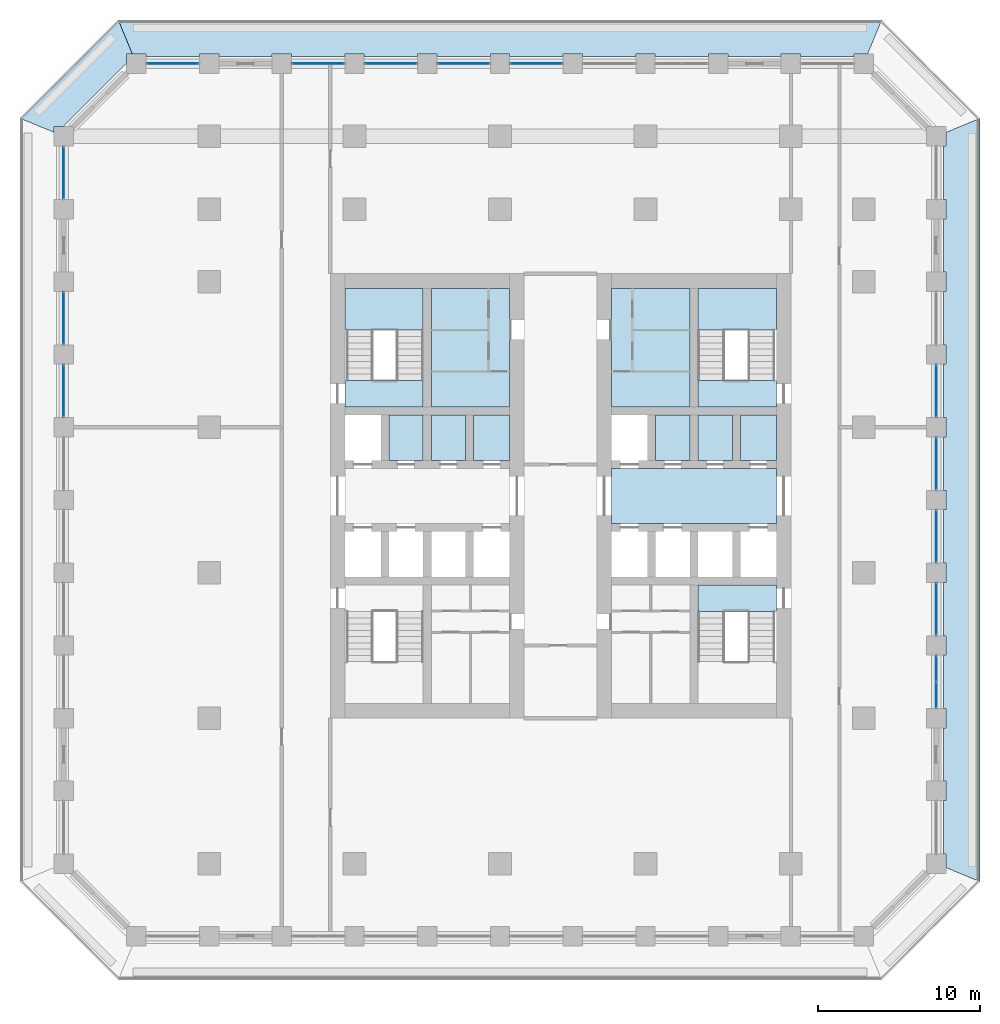
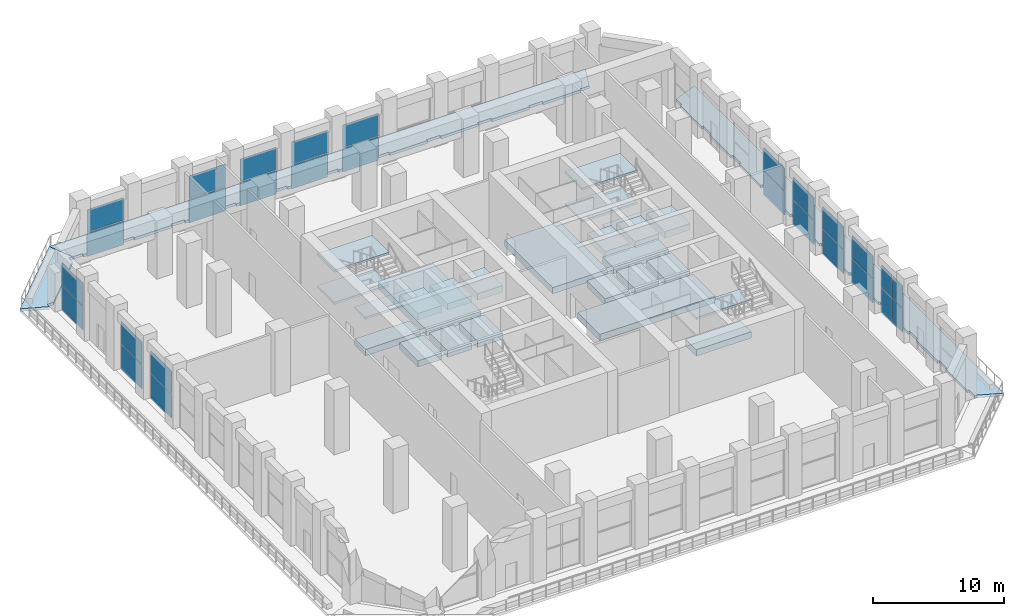
# One storey, part 11 of 24: 28 plates, 28 slabs, 16 elements without a shape of their own.
"""IFC4 building model written with IfcOpenShell, lengths in metres."""

from ifc_helpers import new_model, si_unit, direction, frame, origin, origin_2d, place, context, subcontext, project, spatial, polyline, rectangle, outline, extrude, material, layer, layer_set, type_object, element, aggregate, save


model = new_model("IFC4")

# Units and contexts
model_context = context("Model", 3, precision=1e-05, world=origin(), true_north=direction((0.0, 1.0)))
body_context = subcontext(model_context, "Body", "Model", "MODEL_VIEW")
ifc_project = project(units=[si_unit("LENGTHUNIT", "METRE"), si_unit("AREAUNIT", "SQUARE_METRE"), si_unit("VOLUMEUNIT", "CUBIC_METRE"), si_unit("PLANEANGLEUNIT", "RADIAN"), si_unit("MASSUNIT", "GRAM", prefix="KILO")], contexts=[model_context])

# Site, building, storey
site_placement = place(None, origin())
site = spatial("IfcSite", under=ifc_project, at=site_placement, CompositionType="ELEMENT")
building_placement = place(site_placement, origin())
building = spatial("IfcBuilding", under=site, at=building_placement, Name="Corbel Stack Research Tower", CompositionType="ELEMENT")
storey_placement = place(building_placement, frame((0.0, 0.0, 145.39990234375)))
storey = spatial("IfcBuildingStorey", under=building, at=storey_placement, Name="L33", CompositionType="ELEMENT", Elevation=145.39990234375)

# Curtain wall, plates
ifc_material_1 = material(Name="Aluminium frame, clear glass", Category="aluminium")
curtain_wall_type = type_object("IfcCurtainWallType", Name="Amenity floor curtain wall CW2", PredefinedType="NOTDEFINED", material=ifc_material_1)
curtain_wall_1_placement = place(storey_placement, origin())
curtain_wall_1 = element("IfcCurtainWall", 1, at=curtain_wall_1_placement, inside=storey, type_object=curtain_wall_type, Name="Curtain wall CW2 L33 E03", PredefinedType="NOTDEFINED")
ifc_material_2 = material(Name="Clear glass", Category="glass")
ifc_layer_1 = layer(ifc_material_2, 0.028076171875)
ifc_layer_set_1 = layer_set([ifc_layer_1], Name="Clear glass")
plate_type = type_object("IfcPlateType", Name="Clear glazing 28", PredefinedType="CURTAIN_PANEL", material=ifc_layer_set_1)
plate_1_placement = place(storey_placement, frame((27.0, -7.56005859375, 0.06005859375), z_axis=(0.0, 0.0, 1.0), x_axis=(0.0, 1.0, 0.0)))
plate_1 = element("IfcPlate", 2, at=plate_1_placement, type_object=plate_type, Name="CW2 L33 E03 panel 1.1", PredefinedType="CURTAIN_PANEL", context=body_context, shape_type="SweptSolid", body=[
    extrude(rectangle(XDim=1.56005859375, YDim=0.028076171875, at=origin_2d()), origin(), (0.0, 0.0, 1.0), 2.2099609375),
])
plate_2_placement = place(storey_placement, frame((27.0, -7.56005859375, 2.330078125), z_axis=(0.0, 0.0, 1.0), x_axis=(0.0, 1.0, 0.0)))
plate_2 = element("IfcPlate", 3, at=plate_2_placement, type_object=plate_type, Name="CW2 L33 E03 panel 1.2", PredefinedType="CURTAIN_PANEL", context=body_context, shape_type="SweptSolid", body=[
    extrude(rectangle(XDim=1.56005859375, YDim=0.028076171875, at=origin_2d()), origin(), (0.0, 0.0, 1.0), 2.110107421875),
])
plate_3_placement = place(storey_placement, frame((27.0, -5.93994140625, 0.06005859375), z_axis=(0.0, 0.0, 1.0), x_axis=(0.0, 1.0, 0.0)))
plate_3 = element("IfcPlate", 4, at=plate_3_placement, type_object=plate_type, Name="CW2 L33 E03 panel 2.1", PredefinedType="CURTAIN_PANEL", context=body_context, shape_type="SweptSolid", body=[
    extrude(rectangle(XDim=1.56005859375, YDim=0.028076171875, at=origin_2d()), origin(), (0.0, 0.0, 1.0), 2.2099609375),
])
plate_4_placement = place(storey_placement, frame((27.0, -5.93994140625, 2.330078125), z_axis=(0.0, 0.0, 1.0), x_axis=(0.0, 1.0, 0.0)))
plate_4 = element("IfcPlate", 5, at=plate_4_placement, type_object=plate_type, Name="CW2 L33 E03 panel 2.2", PredefinedType="CURTAIN_PANEL", context=body_context, shape_type="SweptSolid", body=[
    extrude(rectangle(XDim=1.56005859375, YDim=0.028076171875, at=origin_2d()), origin(), (0.0, 0.0, 1.0), 2.110107421875),
])
aggregate(curtain_wall_1, [plate_1, plate_2, plate_3, plate_4])

curtain_wall_2_placement = place(storey_placement, origin())
curtain_wall_2 = element("IfcCurtainWall", 6, at=curtain_wall_2_placement, inside=storey, type_object=curtain_wall_type, Name="Curtain wall CW2 L33 E04", PredefinedType="NOTDEFINED")
plate_5_placement = place(storey_placement, frame((27.0, -2.25, 0.06005859375), z_axis=(0.0, 0.0, 1.0), x_axis=(0.0, 1.0, 0.0)))
plate_5 = element("IfcPlate", 7, at=plate_5_placement, type_object=plate_type, Name="CW2 L33 E04 panel 1.1", PredefinedType="CURTAIN_PANEL", context=body_context, shape_type="SweptSolid", body=[
    extrude(rectangle(XDim=3.179931640625, YDim=0.028076171875, at=origin_2d()), origin(), (0.0, 0.0, 1.0), 2.2099609375),
])
plate_6_placement = place(storey_placement, frame((27.0, -2.25, 2.330078125), z_axis=(0.0, 0.0, 1.0), x_axis=(0.0, 1.0, 0.0)))
plate_6 = element("IfcPlate", 8, at=plate_6_placement, type_object=plate_type, Name="CW2 L33 E04 panel 1.2", PredefinedType="CURTAIN_PANEL", context=body_context, shape_type="SweptSolid", body=[
    extrude(rectangle(XDim=3.179931640625, YDim=0.028076171875, at=origin_2d()), origin(), (0.0, 0.0, 1.0), 2.110107421875),
])
aggregate(curtain_wall_2, [plate_5, plate_6])

curtain_wall_3_placement = place(storey_placement, origin())
curtain_wall_3 = element("IfcCurtainWall", 9, at=curtain_wall_3_placement, inside=storey, type_object=curtain_wall_type, Name="Curtain wall CW2 L33 E05", PredefinedType="NOTDEFINED")
plate_7_placement = place(storey_placement, frame((27.0, 2.25, 0.06005859375), z_axis=(0.0, 0.0, 1.0), x_axis=(0.0, 1.0, 0.0)))
plate_7 = element("IfcPlate", 10, at=plate_7_placement, type_object=plate_type, Name="CW2 L33 E05 panel 1.1", PredefinedType="CURTAIN_PANEL", context=body_context, shape_type="SweptSolid", body=[
    extrude(rectangle(XDim=3.179931640625, YDim=0.028076171875, at=origin_2d()), origin(), (0.0, 0.0, 1.0), 2.2099609375),
])
plate_8_placement = place(storey_placement, frame((27.0, 2.25, 2.330078125), z_axis=(0.0, 0.0, 1.0), x_axis=(0.0, 1.0, 0.0)))
plate_8 = element("IfcPlate", 11, at=plate_8_placement, type_object=plate_type, Name="CW2 L33 E05 panel 1.2", PredefinedType="CURTAIN_PANEL", context=body_context, shape_type="SweptSolid", body=[
    extrude(rectangle(XDim=3.179931640625, YDim=0.028076171875, at=origin_2d()), origin(), (0.0, 0.0, 1.0), 2.110107421875),
])
aggregate(curtain_wall_3, [plate_7, plate_8])

curtain_wall_4_placement = place(storey_placement, origin())
curtain_wall_4 = element("IfcCurtainWall", 12, at=curtain_wall_4_placement, inside=storey, type_object=curtain_wall_type, Name="Curtain wall CW2 L33 E06", PredefinedType="NOTDEFINED")
plate_9_placement = place(storey_placement, frame((27.0, 6.75, 0.06005859375), z_axis=(0.0, 0.0, 1.0), x_axis=(0.0, 1.0, 0.0)))
plate_9 = element("IfcPlate", 13, at=plate_9_placement, type_object=plate_type, Name="CW2 L33 E06 panel 1.1", PredefinedType="CURTAIN_PANEL", context=body_context, shape_type="SweptSolid", body=[
    extrude(rectangle(XDim=3.179931640625, YDim=0.028076171875, at=origin_2d()), origin(), (0.0, 0.0, 1.0), 2.2099609375),
])
plate_10_placement = place(storey_placement, frame((27.0, 6.75, 2.330078125), z_axis=(0.0, 0.0, 1.0), x_axis=(0.0, 1.0, 0.0)))
plate_10 = element("IfcPlate", 14, at=plate_10_placement, type_object=plate_type, Name="CW2 L33 E06 panel 1.2", PredefinedType="CURTAIN_PANEL", context=body_context, shape_type="SweptSolid", body=[
    extrude(rectangle(XDim=3.179931640625, YDim=0.028076171875, at=origin_2d()), origin(), (0.0, 0.0, 1.0), 2.110107421875),
])
aggregate(curtain_wall_4, [plate_9, plate_10])

curtain_wall_5_placement = place(storey_placement, origin())
curtain_wall_5 = element("IfcCurtainWall", 15, at=curtain_wall_5_placement, inside=storey, type_object=curtain_wall_type, Name="Curtain wall CW2 L33 E07", PredefinedType="NOTDEFINED")
plate_11_placement = place(storey_placement, frame((27.0, 11.25, 0.06005859375), z_axis=(0.0, 0.0, 1.0), x_axis=(0.0, 1.0, 0.0)))
plate_11 = element("IfcPlate", 16, at=plate_11_placement, type_object=plate_type, Name="CW2 L33 E07 panel 1.1", PredefinedType="CURTAIN_PANEL", context=body_context, shape_type="SweptSolid", body=[
    extrude(rectangle(XDim=3.179931640625, YDim=0.028076171875, at=origin_2d()), origin(), (0.0, 0.0, 1.0), 2.2099609375),
])
plate_12_placement = place(storey_placement, frame((27.0, 11.25, 2.330078125), z_axis=(0.0, 0.0, 1.0), x_axis=(0.0, 1.0, 0.0)))
plate_12 = element("IfcPlate", 17, at=plate_12_placement, type_object=plate_type, Name="CW2 L33 E07 panel 1.2", PredefinedType="CURTAIN_PANEL", context=body_context, shape_type="SweptSolid", body=[
    extrude(rectangle(XDim=3.179931640625, YDim=0.028076171875, at=origin_2d()), origin(), (0.0, 0.0, 1.0), 2.110107421875),
])
aggregate(curtain_wall_5, [plate_11, plate_12])

curtain_wall_6_placement = place(storey_placement, origin())
curtain_wall_6 = element("IfcCurtainWall", 18, at=curtain_wall_6_placement, inside=storey, type_object=curtain_wall_type, Name="Curtain wall CW2 L33 N05", PredefinedType="NOTDEFINED")
plate_13_placement = place(storey_placement, frame((2.25, 31.5, 0.06005859375), z_axis=(0.0, 0.0, 1.0), x_axis=(-1.0, 0.0, 0.0)))
plate_13 = element("IfcPlate", 19, at=plate_13_placement, type_object=plate_type, Name="CW2 L33 N05 panel 1.1", PredefinedType="CURTAIN_PANEL", context=body_context, shape_type="SweptSolid", body=[
    extrude(rectangle(XDim=3.179931640625, YDim=0.028076171875, at=origin_2d()), origin(), (0.0, 0.0, 1.0), 2.2099609375),
])
plate_14_placement = place(storey_placement, frame((2.25, 31.5, 2.330078125), z_axis=(0.0, 0.0, 1.0), x_axis=(-1.0, 0.0, 0.0)))
plate_14 = element("IfcPlate", 20, at=plate_14_placement, type_object=plate_type, Name="CW2 L33 N05 panel 1.2", PredefinedType="CURTAIN_PANEL", context=body_context, shape_type="SweptSolid", body=[
    extrude(rectangle(XDim=3.179931640625, YDim=0.028076171875, at=origin_2d()), origin(), (0.0, 0.0, 1.0), 2.110107421875),
])
aggregate(curtain_wall_6, [plate_13, plate_14])

curtain_wall_7_placement = place(storey_placement, origin())
curtain_wall_7 = element("IfcCurtainWall", 21, at=curtain_wall_7_placement, inside=storey, type_object=curtain_wall_type, Name="Curtain wall CW2 L33 N06", PredefinedType="NOTDEFINED")
plate_15_placement = place(storey_placement, frame((-2.25, 31.5, 0.06005859375), z_axis=(0.0, 0.0, 1.0), x_axis=(-1.0, 0.0, 0.0)))
plate_15 = element("IfcPlate", 22, at=plate_15_placement, type_object=plate_type, Name="CW2 L33 N06 panel 1.1", PredefinedType="CURTAIN_PANEL", context=body_context, shape_type="SweptSolid", body=[
    extrude(rectangle(XDim=3.179931640625, YDim=0.028076171875, at=origin_2d()), origin(), (0.0, 0.0, 1.0), 2.2099609375),
])
plate_16_placement = place(storey_placement, frame((-2.25, 31.5, 2.330078125), z_axis=(0.0, 0.0, 1.0), x_axis=(-1.0, 0.0, 0.0)))
plate_16 = element("IfcPlate", 23, at=plate_16_placement, type_object=plate_type, Name="CW2 L33 N06 panel 1.2", PredefinedType="CURTAIN_PANEL", context=body_context, shape_type="SweptSolid", body=[
    extrude(rectangle(XDim=3.179931640625, YDim=0.028076171875, at=origin_2d()), origin(), (0.0, 0.0, 1.0), 2.110107421875),
])
aggregate(curtain_wall_7, [plate_15, plate_16])

curtain_wall_8_placement = place(storey_placement, origin())
curtain_wall_8 = element("IfcCurtainWall", 24, at=curtain_wall_8_placement, inside=storey, type_object=curtain_wall_type, Name="Curtain wall CW2 L33 N07", PredefinedType="NOTDEFINED")
plate_17_placement = place(storey_placement, frame((-6.75, 31.5, 0.06005859375), z_axis=(0.0, 0.0, 1.0), x_axis=(-1.0, 0.0, 0.0)))
plate_17 = element("IfcPlate", 25, at=plate_17_placement, type_object=plate_type, Name="CW2 L33 N07 panel 1.1", PredefinedType="CURTAIN_PANEL", context=body_context, shape_type="SweptSolid", body=[
    extrude(rectangle(XDim=3.179931640625, YDim=0.028076171875, at=origin_2d()), origin(), (0.0, 0.0, 1.0), 2.2099609375),
])
plate_18_placement = place(storey_placement, frame((-6.75, 31.5, 2.330078125), z_axis=(0.0, 0.0, 1.0), x_axis=(-1.0, 0.0, 0.0)))
plate_18 = element("IfcPlate", 26, at=plate_18_placement, type_object=plate_type, Name="CW2 L33 N07 panel 1.2", PredefinedType="CURTAIN_PANEL", context=body_context, shape_type="SweptSolid", body=[
    extrude(rectangle(XDim=3.179931640625, YDim=0.028076171875, at=origin_2d()), origin(), (0.0, 0.0, 1.0), 2.110107421875),
])
aggregate(curtain_wall_8, [plate_17, plate_18])

curtain_wall_9_placement = place(storey_placement, origin())
curtain_wall_9 = element("IfcCurtainWall", 27, at=curtain_wall_9_placement, inside=storey, type_object=curtain_wall_type, Name="Curtain wall CW2 L33 N08", PredefinedType="NOTDEFINED")
plate_19_placement = place(storey_placement, frame((-11.25, 31.5, 0.06005859375), z_axis=(0.0, 0.0, 1.0), x_axis=(-1.0, 0.0, 0.0)))
plate_19 = element("IfcPlate", 28, at=plate_19_placement, type_object=plate_type, Name="CW2 L33 N08 panel 1.1", PredefinedType="CURTAIN_PANEL", context=body_context, shape_type="SweptSolid", body=[
    extrude(rectangle(XDim=3.179931640625, YDim=0.028076171875, at=origin_2d()), origin(), (0.0, 0.0, 1.0), 2.2099609375),
])
plate_20_placement = place(storey_placement, frame((-11.25, 31.5, 2.330078125), z_axis=(0.0, 0.0, 1.0), x_axis=(-1.0, 0.0, 0.0)))
plate_20 = element("IfcPlate", 29, at=plate_20_placement, type_object=plate_type, Name="CW2 L33 N08 panel 1.2", PredefinedType="CURTAIN_PANEL", context=body_context, shape_type="SweptSolid", body=[
    extrude(rectangle(XDim=3.179931640625, YDim=0.028076171875, at=origin_2d()), origin(), (0.0, 0.0, 1.0), 2.110107421875),
])
aggregate(curtain_wall_9, [plate_19, plate_20])

curtain_wall_10_placement = place(storey_placement, origin())
curtain_wall_10 = element("IfcCurtainWall", 30, at=curtain_wall_10_placement, inside=storey, type_object=curtain_wall_type, Name="Curtain wall CW2 L33 N10", PredefinedType="NOTDEFINED")
plate_21_placement = place(storey_placement, frame((-20.25, 31.5, 0.06005859375), z_axis=(0.0, 0.0, 1.0), x_axis=(-1.0, 0.0, 0.0)))
plate_21 = element("IfcPlate", 31, at=plate_21_placement, type_object=plate_type, Name="CW2 L33 N10 panel 1.1", PredefinedType="CURTAIN_PANEL", context=body_context, shape_type="SweptSolid", body=[
    extrude(rectangle(XDim=3.179931640625, YDim=0.028076171875, at=origin_2d()), origin(), (0.0, 0.0, 1.0), 2.2099609375),
])
plate_22_placement = place(storey_placement, frame((-20.25, 31.5, 2.330078125), z_axis=(0.0, 0.0, 1.0), x_axis=(-1.0, 0.0, 0.0)))
plate_22 = element("IfcPlate", 32, at=plate_22_placement, type_object=plate_type, Name="CW2 L33 N10 panel 1.2", PredefinedType="CURTAIN_PANEL", context=body_context, shape_type="SweptSolid", body=[
    extrude(rectangle(XDim=3.179931640625, YDim=0.028076171875, at=origin_2d()), origin(), (0.0, 0.0, 1.0), 2.110107421875),
])
aggregate(curtain_wall_10, [plate_21, plate_22])

curtain_wall_11_placement = place(storey_placement, origin())
curtain_wall_11 = element("IfcCurtainWall", 33, at=curtain_wall_11_placement, inside=storey, type_object=curtain_wall_type, Name="Curtain wall CW2 L33 W01", PredefinedType="NOTDEFINED")
plate_23_placement = place(storey_placement, frame((-27.0, 24.75, 0.06005859375), z_axis=(0.0, 0.0, 1.0), x_axis=(0.0, -1.0, 0.0)))
plate_23 = element("IfcPlate", 34, at=plate_23_placement, type_object=plate_type, Name="CW2 L33 W01 panel 1.1", PredefinedType="CURTAIN_PANEL", context=body_context, shape_type="SweptSolid", body=[
    extrude(rectangle(XDim=3.179931640625, YDim=0.028076171875, at=origin_2d()), origin(), (0.0, 0.0, 1.0), 2.2099609375),
])
plate_24_placement = place(storey_placement, frame((-27.0, 24.75, 2.330078125), z_axis=(0.0, 0.0, 1.0), x_axis=(0.0, -1.0, 0.0)))
plate_24 = element("IfcPlate", 35, at=plate_24_placement, type_object=plate_type, Name="CW2 L33 W01 panel 1.2", PredefinedType="CURTAIN_PANEL", context=body_context, shape_type="SweptSolid", body=[
    extrude(rectangle(XDim=3.179931640625, YDim=0.028076171875, at=origin_2d()), origin(), (0.0, 0.0, 1.0), 2.110107421875),
])
aggregate(curtain_wall_11, [plate_23, plate_24])

curtain_wall_12_placement = place(storey_placement, origin())
curtain_wall_12 = element("IfcCurtainWall", 36, at=curtain_wall_12_placement, inside=storey, type_object=curtain_wall_type, Name="Curtain wall CW2 L33 W03", PredefinedType="NOTDEFINED")
plate_25_placement = place(storey_placement, frame((-27.0, 15.75, 0.06005859375), z_axis=(0.0, 0.0, 1.0), x_axis=(0.0, -1.0, 0.0)))
plate_25 = element("IfcPlate", 37, at=plate_25_placement, type_object=plate_type, Name="CW2 L33 W03 panel 1.1", PredefinedType="CURTAIN_PANEL", context=body_context, shape_type="SweptSolid", body=[
    extrude(rectangle(XDim=3.179931640625, YDim=0.028076171875, at=origin_2d()), origin(), (0.0, 0.0, 1.0), 2.2099609375),
])
plate_26_placement = place(storey_placement, frame((-27.0, 15.75, 2.330078125), z_axis=(0.0, 0.0, 1.0), x_axis=(0.0, -1.0, 0.0)))
plate_26 = element("IfcPlate", 38, at=plate_26_placement, type_object=plate_type, Name="CW2 L33 W03 panel 1.2", PredefinedType="CURTAIN_PANEL", context=body_context, shape_type="SweptSolid", body=[
    extrude(rectangle(XDim=3.179931640625, YDim=0.028076171875, at=origin_2d()), origin(), (0.0, 0.0, 1.0), 2.110107421875),
])
aggregate(curtain_wall_12, [plate_25, plate_26])

curtain_wall_13_placement = place(storey_placement, origin())
curtain_wall_13 = element("IfcCurtainWall", 39, at=curtain_wall_13_placement, inside=storey, type_object=curtain_wall_type, Name="Curtain wall CW2 L33 W04", PredefinedType="NOTDEFINED")
plate_27_placement = place(storey_placement, frame((-27.0, 11.25, 0.06005859375), z_axis=(0.0, 0.0, 1.0), x_axis=(0.0, -1.0, 0.0)))
plate_27 = element("IfcPlate", 40, at=plate_27_placement, type_object=plate_type, Name="CW2 L33 W04 panel 1.1", PredefinedType="CURTAIN_PANEL", context=body_context, shape_type="SweptSolid", body=[
    extrude(rectangle(XDim=3.179931640625, YDim=0.028076171875, at=origin_2d()), origin(), (0.0, 0.0, 1.0), 2.2099609375),
])
plate_28_placement = place(storey_placement, frame((-27.0, 11.25, 2.330078125), z_axis=(0.0, 0.0, 1.0), x_axis=(0.0, -1.0, 0.0)))
plate_28 = element("IfcPlate", 41, at=plate_28_placement, type_object=plate_type, Name="CW2 L33 W04 panel 1.2", PredefinedType="CURTAIN_PANEL", context=body_context, shape_type="SweptSolid", body=[
    extrude(rectangle(XDim=3.179931640625, YDim=0.028076171875, at=origin_2d()), origin(), (0.0, 0.0, 1.0), 2.110107421875),
])
aggregate(curtain_wall_13, [plate_27, plate_28])

# Slabs
ifc_material_3 = material(Name="Concrete C45/55", Category="concrete")
ifc_layer_2 = layer(ifc_material_3, 0.60009765625)
ifc_layer_set_2 = layer_set([ifc_layer_2], Name="Concrete C45/55")
slab_type_1 = type_object("IfcSlabType", Name="PS-600", PredefinedType="FLOOR", material=ifc_layer_set_2)
slab_1_placement = place(storey_placement, frame((0.0, 0.0, 3.800048828125)))
element("IfcSlab", 42, at=slab_1_placement, inside=storey, type_object=slab_type_1, Name="Lift pit slab HR1", PredefinedType="FLOOR", context=body_context, shape_type="SweptSolid", body=[
    extrude(outline(polyline([(-6.875, 6.949951171875), (-4.75, 6.949951171875), (-4.75, 9.75), (-6.875, 9.75), (-6.875, 6.949951171875)])), origin(), (0.0, 0.0, 1.0), 0.60009765625),
])
slab_2_placement = place(storey_placement, frame((0.0, 0.0, 3.800048828125)))
element("IfcSlab", 43, at=slab_2_placement, inside=storey, type_object=slab_type_1, Name="Lift pit slab HR2", PredefinedType="FLOOR", context=body_context, shape_type="SweptSolid", body=[
    extrude(outline(polyline([(-2.125, 6.949951171875), (-2.125, 9.75), (-4.25, 9.75), (-4.25, 6.949951171875), (-2.125, 6.949951171875)])), origin(), (0.0, 0.0, 1.0), 0.60009765625),
])
slab_3_placement = place(storey_placement, frame((0.0, 0.0, 3.800048828125)))
element("IfcSlab", 44, at=slab_3_placement, inside=storey, type_object=slab_type_1, Name="Lift pit slab HR3", PredefinedType="FLOOR", context=body_context, shape_type="SweptSolid", body=[
    extrude(outline(polyline([(0.60009765625, 9.75), (-1.625, 9.75), (-1.625, 6.949951171875), (0.60009765625, 6.949951171875), (0.60009765625, 9.75)])), origin(), (0.0, 0.0, 1.0), 0.60009765625),
])
slab_4_placement = place(storey_placement, frame((0.0, 0.0, 3.800048828125)))
element("IfcSlab", 45, at=slab_4_placement, inside=storey, type_object=slab_type_1, Name="Lift pit slab HR4", PredefinedType="FLOOR", context=body_context, shape_type="SweptSolid", body=[
    extrude(outline(polyline([(9.625, 6.949951171875), (11.75, 6.949951171875), (11.75, 9.75), (9.625, 9.75), (9.625, 6.949951171875)])), origin(), (0.0, 0.0, 1.0), 0.60009765625),
])
slab_5_placement = place(storey_placement, frame((0.0, 0.0, 3.800048828125)))
element("IfcSlab", 46, at=slab_5_placement, inside=storey, type_object=slab_type_1, Name="Lift pit slab HR5", PredefinedType="FLOOR", context=body_context, shape_type="SweptSolid", body=[
    extrude(outline(polyline([(14.375, 6.949951171875), (14.375, 9.75), (12.25, 9.75), (12.25, 6.949951171875), (14.375, 6.949951171875)])), origin(), (0.0, 0.0, 1.0), 0.60009765625),
])
slab_6_placement = place(storey_placement, frame((0.0, 0.0, 3.800048828125)))
element("IfcSlab", 47, at=slab_6_placement, inside=storey, type_object=slab_type_1, Name="Lift pit slab HR6", PredefinedType="FLOOR", context=body_context, shape_type="SweptSolid", body=[
    extrude(outline(polyline([(17.10009765625, 6.949951171875), (17.10009765625, 9.75), (14.875, 9.75), (14.875, 6.949951171875), (17.10009765625, 6.949951171875)])), origin(), (0.0, 0.0, 1.0), 0.60009765625),
])
ifc_material_4 = material(Name="Concrete C45/55", Category="concrete")
ifc_layer_3 = layer(ifc_material_4, 0.25)
ifc_layer_set_3 = layer_set([ifc_layer_3], Name="Concrete C45/55")
slab_type_2 = type_object("IfcSlabType", Name="PT balcony slab 250 C45/55", PredefinedType="FLOOR", material=ifc_layer_set_3)
slab_7_placement = place(storey_placement, frame((0.0, 0.0, -0.25)))
element("IfcSlab", 48, at=slab_7_placement, inside=storey, type_object=slab_type_2, Name="Loggia slab L33 E", PredefinedType="FLOOR", context=body_context, shape_type="SweptSolid", body=[
    extrude(outline(polyline([(27.60009765625, 27.24853515625), (27.60009765625, 26.39990234375), (27.449951171875, 26.39990234375), (27.449951171875, 23.10009765625), (27.60009765625, 23.10009765625), (27.60009765625, 21.89990234375), (27.449951171875, 21.89990234375), (27.449951171875, 18.60009765625), (27.60009765625, 18.60009765625), (27.60009765625, 17.39990234375), (27.449951171875, 17.39990234375), (27.449951171875, 14.10009765625), (27.60009765625, 14.10009765625), (27.60009765625, 12.89990234375), (27.449951171875, 12.89990234375), (27.449951171875, 9.60009765625), (27.60009765625, 9.60009765625), (27.60009765625, 8.39990234375), (27.449951171875, 8.39990234375), (27.449951171875, 5.10009765625), (27.60009765625, 5.10009765625), (27.60009765625, 3.89990234375), (27.449951171875, 3.89990234375), (27.449951171875, 0.60009765625), (27.60009765625, 0.60009765625), (27.60009765625, -0.60009765625), (27.449951171875, -0.60009765625), (27.449951171875, -3.89990234375), (27.60009765625, -3.89990234375), (27.60009765625, -5.10009765625), (27.449951171875, -5.10009765625), (27.449951171875, -8.39990234375), (27.60009765625, -8.39990234375), (27.60009765625, -9.60009765625), (27.449951171875, -9.60009765625), (27.449951171875, -12.89990234375), (27.60009765625, -12.89990234375), (27.60009765625, -14.10009765625), (27.449951171875, -14.10009765625), (27.449951171875, -17.39990234375), (27.60009765625, -17.39990234375), (27.60009765625, -18.24853515625), (29.699951171875, -19.118408203125), (29.699951171875, 28.118408203125), (27.60009765625, 27.24853515625)])), origin(), (0.0, 0.0, 1.0), 0.25),
])
slab_8_placement = place(storey_placement, frame((0.0, 0.0, -0.25)))
element("IfcSlab", 49, at=slab_8_placement, inside=storey, type_object=slab_type_2, Name="Loggia slab L33 N", PredefinedType="FLOOR", context=body_context, shape_type="SweptSolid", body=[
    extrude(outline(polyline([(-22.74853515625, 32.10009765625), (-21.89990234375, 32.10009765625), (-21.89990234375, 31.949951171875), (-18.60009765625, 31.949951171875), (-18.60009765625, 32.10009765625), (-17.39990234375, 32.10009765625), (-17.39990234375, 31.949951171875), (-14.10009765625, 31.949951171875), (-14.10009765625, 32.10009765625), (-12.89990234375, 32.10009765625), (-12.89990234375, 31.949951171875), (-9.60009765625, 31.949951171875), (-9.60009765625, 32.10009765625), (-8.39990234375, 32.10009765625), (-8.39990234375, 31.949951171875), (-5.10009765625, 31.949951171875), (-5.10009765625, 32.10009765625), (-3.89990234375, 32.10009765625), (-3.89990234375, 31.949951171875), (-0.60009765625, 31.949951171875), (-0.60009765625, 32.10009765625), (0.60009765625, 32.10009765625), (0.60009765625, 31.949951171875), (3.89990234375, 31.949951171875), (3.89990234375, 32.10009765625), (5.10009765625, 32.10009765625), (5.10009765625, 31.949951171875), (8.39990234375, 31.949951171875), (8.39990234375, 32.10009765625), (9.60009765625, 32.10009765625), (9.60009765625, 31.949951171875), (12.89990234375, 31.949951171875), (12.89990234375, 32.10009765625), (14.10009765625, 32.10009765625), (14.10009765625, 31.949951171875), (17.39990234375, 31.949951171875), (17.39990234375, 32.10009765625), (18.60009765625, 32.10009765625), (18.60009765625, 31.949951171875), (21.89990234375, 31.949951171875), (21.89990234375, 32.10009765625), (22.74853515625, 32.10009765625), (23.618408203125, 34.199951171875), (-23.618408203125, 34.199951171875), (-22.74853515625, 32.10009765625)])), origin(), (0.0, 0.0, 1.0), 0.25),
])
slab_9_placement = place(storey_placement, frame((0.0, 0.0, -0.25)))
element("IfcSlab", 50, at=slab_9_placement, inside=storey, type_object=slab_type_2, Name="Loggia slab L33 NW", PredefinedType="FLOOR", context=body_context, shape_type="SweptSolid", body=[
    extrude(outline(polyline([(-27.60009765625, 27.24853515625), (-27.60009765625, 27.60009765625), (-27.036376953125, 27.60009765625), (-23.10009765625, 31.536376953125), (-23.10009765625, 32.10009765625), (-22.74853515625, 32.10009765625), (-23.618408203125, 34.199951171875), (-29.699951171875, 28.118408203125), (-27.60009765625, 27.24853515625)])), origin(), (0.0, 0.0, 1.0), 0.25),
])
ifc_material_5 = material(Name="Concrete C45/55", Category="concrete")
ifc_layer_4 = layer(ifc_material_5, 0.60009765625)
ifc_layer_set_4 = layer_set([ifc_layer_4], Name="Concrete C45/55")
slab_type_3 = type_object("IfcSlabType", Name="PT-600", PredefinedType="FLOOR", material=ifc_layer_set_4)
slab_10_placement = place(storey_placement, frame((0.0, 0.0, -0.599853515625)))
element("IfcSlab", 51, at=slab_10_placement, inside=storey, type_object=slab_type_3, Name="West core floor L33", PredefinedType="FLOOR", context=body_context, shape_type="SweptSolid", body=[
    extrude(outline(polyline([(-6.875, 6.949951171875), (-4.75, 6.949951171875), (-4.75, 9.75), (-6.875, 9.75), (-6.875, 6.949951171875)])), origin(), (0.0, 0.0, 1.0), 0.599853515625),
])
slab_11_placement = place(storey_placement, frame((0.0, 0.0, -0.599853515625)))
element("IfcSlab", 52, at=slab_11_placement, inside=storey, type_object=slab_type_3, Name="West core floor L33", PredefinedType="FLOOR", context=body_context, shape_type="SweptSolid", body=[
    extrude(outline(polyline([(-2.125, 6.949951171875), (-2.125, 9.75), (-4.25, 9.75), (-4.25, 6.949951171875), (-2.125, 6.949951171875)])), origin(), (0.0, 0.0, 1.0), 0.599853515625),
])
slab_12_placement = place(storey_placement, frame((0.0, 0.0, -0.599853515625)))
element("IfcSlab", 53, at=slab_12_placement, inside=storey, type_object=slab_type_3, Name="West core floor L33", PredefinedType="FLOOR", context=body_context, shape_type="SweptSolid", body=[
    extrude(outline(polyline([(0.60009765625, 17.60009765625), (-4.25, 17.60009765625), (-4.25, 10.25), (0.60009765625, 10.25), (0.60009765625, 17.60009765625)])), origin(), (0.0, 0.0, 1.0), 0.599853515625),
])
slab_13_placement = place(storey_placement, frame((0.0, 0.0, -0.599853515625)))
element("IfcSlab", 54, at=slab_13_placement, inside=storey, type_object=slab_type_3, Name="West core floor L33", PredefinedType="FLOOR", context=body_context, shape_type="SweptSolid", body=[
    extrude(outline(polyline([(0.60009765625, 9.75), (-1.625, 9.75), (-1.625, 6.949951171875), (0.60009765625, 6.949951171875), (0.60009765625, 9.75)])), origin(), (0.0, 0.0, 1.0), 0.599853515625),
])
slab_14_placement = place(storey_placement, frame((0.0, 0.0, -0.599853515625)))
element("IfcSlab", 55, at=slab_14_placement, inside=storey, type_object=slab_type_3, Name="East core floor L33", PredefinedType="FLOOR", context=body_context, shape_type="SweptSolid", body=[
    extrude(outline(polyline([(6.89990234375, 6.449951171875), (6.89990234375, 3.050048828125), (17.10009765625, 3.050048828125), (17.10009765625, 6.449951171875), (6.89990234375, 6.449951171875)])), origin(), (0.0, 0.0, 1.0), 0.599853515625),
])
slab_15_placement = place(storey_placement, frame((0.0, 0.0, -0.599853515625)))
element("IfcSlab", 56, at=slab_15_placement, inside=storey, type_object=slab_type_3, Name="East core floor L33", PredefinedType="FLOOR", context=body_context, shape_type="SweptSolid", body=[
    extrude(outline(polyline([(6.89990234375, 17.60009765625), (6.89990234375, 10.25), (11.75, 10.25), (11.75, 17.60009765625), (6.89990234375, 17.60009765625)])), origin(), (0.0, 0.0, 1.0), 0.599853515625),
])
slab_16_placement = place(storey_placement, frame((0.0, 0.0, -0.599853515625)))
element("IfcSlab", 57, at=slab_16_placement, inside=storey, type_object=slab_type_3, Name="East core floor L33", PredefinedType="FLOOR", context=body_context, shape_type="SweptSolid", body=[
    extrude(outline(polyline([(9.625, 6.949951171875), (11.75, 6.949951171875), (11.75, 9.75), (9.625, 9.75), (9.625, 6.949951171875)])), origin(), (0.0, 0.0, 1.0), 0.599853515625),
])
slab_17_placement = place(storey_placement, frame((0.0, 0.0, -0.599853515625)))
element("IfcSlab", 58, at=slab_17_placement, inside=storey, type_object=slab_type_3, Name="East core floor L33", PredefinedType="FLOOR", context=body_context, shape_type="SweptSolid", body=[
    extrude(outline(polyline([(14.375, 6.949951171875), (14.375, 9.75), (12.25, 9.75), (12.25, 6.949951171875), (14.375, 6.949951171875)])), origin(), (0.0, 0.0, 1.0), 0.599853515625),
])
slab_18_placement = place(storey_placement, frame((0.0, 0.0, -0.599853515625)))
element("IfcSlab", 59, at=slab_18_placement, inside=storey, type_object=slab_type_3, Name="East core floor L33", PredefinedType="FLOOR", context=body_context, shape_type="SweptSolid", body=[
    extrude(outline(polyline([(17.10009765625, 6.949951171875), (17.10009765625, 9.75), (14.875, 9.75), (14.875, 6.949951171875), (17.10009765625, 6.949951171875)])), origin(), (0.0, 0.0, 1.0), 0.599853515625),
])
slab_19_placement = place(storey_placement, frame((0.0, 0.0, -0.599853515625)))
element("IfcSlab", 60, at=slab_19_placement, inside=storey, type_object=slab_type_3, Name="Stair floor landing ST-W2", PredefinedType="FLOOR", context=body_context, shape_type="SweptSolid", body=[
    extrude(outline(polyline([(-9.60009765625, 10.25), (-4.75, 10.25), (-4.75, 11.89990234375), (-9.60009765625, 11.89990234375), (-9.60009765625, 10.25)])), origin(), (0.0, 0.0, 1.0), 0.599853515625),
])
slab_20_placement = place(storey_placement, frame((0.0, 0.0, -0.599853515625)))
element("IfcSlab", 61, at=slab_20_placement, inside=storey, type_object=slab_type_3, Name="Stair floor landing ST-E1", PredefinedType="FLOOR", context=body_context, shape_type="SweptSolid", body=[
    extrude(outline(polyline([(12.25, -2.39990234375), (17.10009765625, -2.39990234375), (17.10009765625, -0.75), (12.25, -0.75), (12.25, -2.39990234375)])), origin(), (0.0, 0.0, 1.0), 0.599853515625),
])
slab_21_placement = place(storey_placement, frame((0.0, 0.0, -0.599853515625)))
element("IfcSlab", 62, at=slab_21_placement, inside=storey, type_object=slab_type_3, Name="Stair floor landing ST-E2", PredefinedType="FLOOR", context=body_context, shape_type="SweptSolid", body=[
    extrude(outline(polyline([(12.25, 10.25), (17.10009765625, 10.25), (17.10009765625, 11.89990234375), (12.25, 11.89990234375), (12.25, 10.25)])), origin(), (0.0, 0.0, 1.0), 0.599853515625),
])

# Stair, slabs
ifc_material_6 = material(Name="Concrete C40/50", Category="concrete")
stair_type = type_object("IfcStairType", Name="Exit stair 36 risers, 388 going", PredefinedType="HALF_TURN_STAIR", material=ifc_material_6)
stair_1_placement = place(storey_placement, origin())
stair_1 = element("IfcStair", 63, at=stair_1_placement, inside=storey, type_object=stair_type, Name="L33 Exit stair ST-W2", PredefinedType="HALF_TURN_STAIR")
ifc_material_7 = material(Name="Concrete C40/50", Category="concrete")
ifc_layer_5 = layer(ifc_material_7, 0.199951171875)
ifc_layer_set_5 = layer_set([ifc_layer_5], Name="Concrete C40/50")
slab_type_4 = type_object("IfcSlabType", Name="Stair landing 200 C40/50", PredefinedType="LANDING", material=ifc_layer_set_5)
slab_22_placement = place(storey_placement, frame((0.0, 0.0, 1.300048828125)))
slab_22 = element("IfcSlab", 64, at=slab_22_placement, type_object=slab_type_4, Name="ST-W2 landing 1", PredefinedType="LANDING", context=body_context, shape_type="SweptSolid", body=[
    extrude(outline(polyline([(-9.60009765625, 15.00390625), (-9.60009765625, 17.60009765625), (-4.75, 17.60009765625), (-4.75, 15.00390625), (-9.60009765625, 15.00390625)])), origin(), (0.0, 0.0, 1.0), 0.199951171875),
])
slab_23_placement = place(storey_placement, frame((0.0, 0.0, 2.800048828125)))
slab_23 = element("IfcSlab", 65, at=slab_23_placement, type_object=slab_type_4, Name="ST-W2 landing 2", PredefinedType="LANDING", context=body_context, shape_type="SweptSolid", body=[
    extrude(outline(polyline([(-9.60009765625, 10.25), (-9.60009765625, 11.89990234375), (-4.75, 11.89990234375), (-4.75, 10.25), (-9.60009765625, 10.25)])), origin(), (0.0, 0.0, 1.0), 0.199951171875),
])
slab_24_placement = place(storey_placement, frame((0.0, 0.0, 4.300048828125)))
slab_24 = element("IfcSlab", 66, at=slab_24_placement, type_object=slab_type_4, Name="ST-W2 landing 3", PredefinedType="LANDING", context=body_context, shape_type="SweptSolid", body=[
    extrude(outline(polyline([(-9.60009765625, 15.00390625), (-9.60009765625, 17.60009765625), (-4.75, 17.60009765625), (-4.75, 15.00390625), (-9.60009765625, 15.00390625)])), origin(), (0.0, 0.0, 1.0), 0.199951171875),
])
aggregate(stair_1, [slab_22, slab_23, slab_24])

# Stair, slab
stair_2_placement = place(storey_placement, origin())
stair_2 = element("IfcStair", 67, at=stair_2_placement, inside=storey, type_object=stair_type, Name="L33 Exit stair ST-E1", PredefinedType="HALF_TURN_STAIR")
slab_25_placement = place(storey_placement, frame((0.0, 0.0, 2.800048828125)))
slab_25 = element("IfcSlab", 68, at=slab_25_placement, type_object=slab_type_4, Name="ST-E1 landing 2", PredefinedType="LANDING", context=body_context, shape_type="SweptSolid", body=[
    extrude(outline(polyline([(12.25, -2.39990234375), (12.25, -0.75), (17.10009765625, -0.75), (17.10009765625, -2.39990234375), (12.25, -2.39990234375)])), origin(), (0.0, 0.0, 1.0), 0.199951171875),
])
aggregate(stair_2, [slab_25])

# Stair, slabs
stair_3_placement = place(storey_placement, origin())
stair_3 = element("IfcStair", 69, at=stair_3_placement, inside=storey, type_object=stair_type, Name="L33 Exit stair ST-E2", PredefinedType="HALF_TURN_STAIR")
slab_26_placement = place(storey_placement, frame((0.0, 0.0, 1.300048828125)))
slab_26 = element("IfcSlab", 70, at=slab_26_placement, type_object=slab_type_4, Name="ST-E2 landing 1", PredefinedType="LANDING", context=body_context, shape_type="SweptSolid", body=[
    extrude(outline(polyline([(12.25, 15.00390625), (12.25, 17.60009765625), (17.10009765625, 17.60009765625), (17.10009765625, 15.00390625), (12.25, 15.00390625)])), origin(), (0.0, 0.0, 1.0), 0.199951171875),
])
slab_27_placement = place(storey_placement, frame((0.0, 0.0, 2.800048828125)))
slab_27 = element("IfcSlab", 71, at=slab_27_placement, type_object=slab_type_4, Name="ST-E2 landing 2", PredefinedType="LANDING", context=body_context, shape_type="SweptSolid", body=[
    extrude(outline(polyline([(12.25, 10.25), (12.25, 11.89990234375), (17.10009765625, 11.89990234375), (17.10009765625, 10.25), (12.25, 10.25)])), origin(), (0.0, 0.0, 1.0), 0.199951171875),
])
slab_28_placement = place(storey_placement, frame((0.0, 0.0, 4.300048828125)))
slab_28 = element("IfcSlab", 72, at=slab_28_placement, type_object=slab_type_4, Name="ST-E2 landing 3", PredefinedType="LANDING", context=body_context, shape_type="SweptSolid", body=[
    extrude(outline(polyline([(12.25, 15.00390625), (12.25, 17.60009765625), (17.10009765625, 17.60009765625), (17.10009765625, 15.00390625), (12.25, 15.00390625)])), origin(), (0.0, 0.0, 1.0), 0.199951171875),
])
aggregate(stair_3, [slab_26, slab_27, slab_28])

save(model, "model.ifc")
